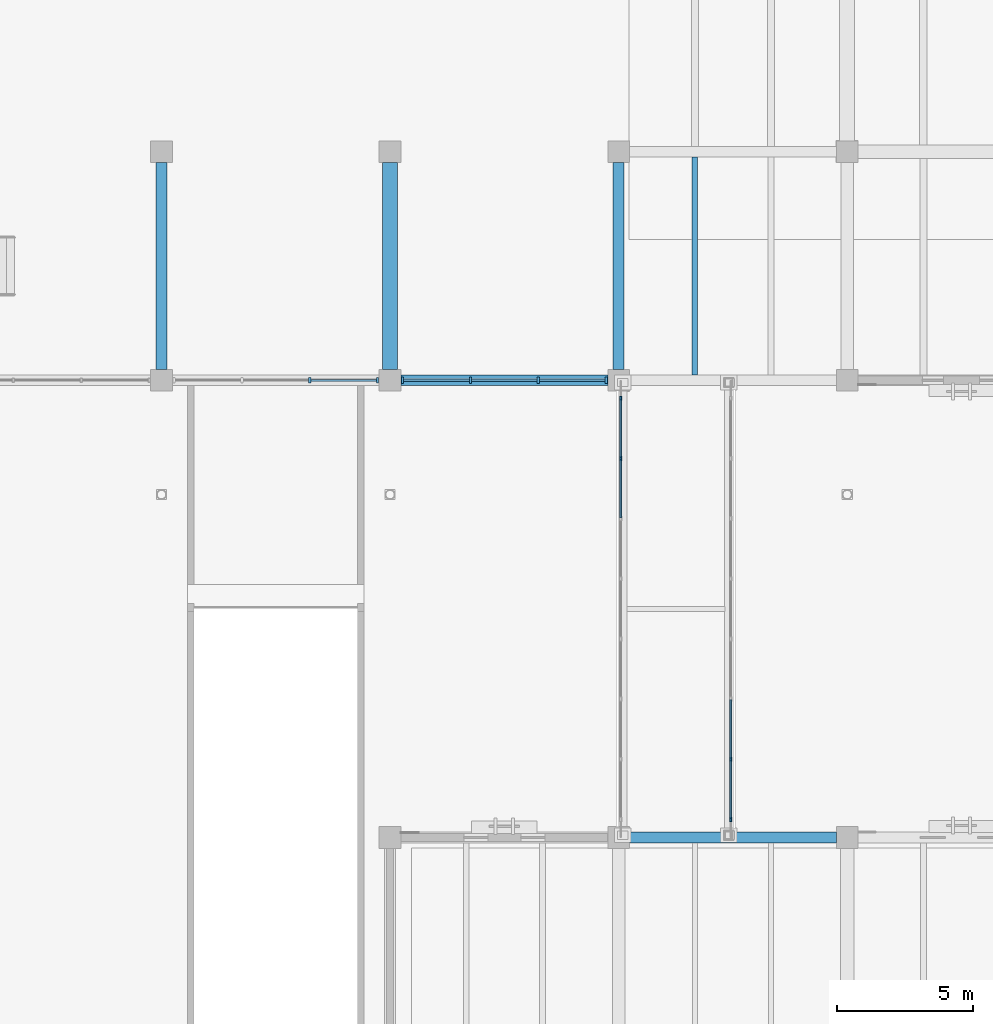
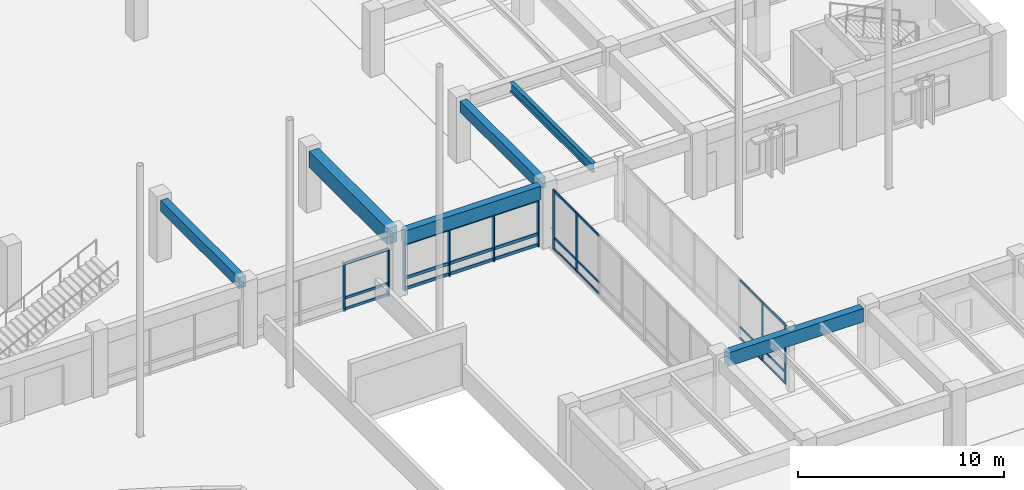
# One storey, part 59 of 135: 34 members, 6 beams, 4 elements without a shape of their own.
"""IFC4 building model written with IfcOpenShell, lengths in metres."""

from ifc_helpers import new_model, si_unit, direction, frame, origin, origin_2d, place, context, subcontext, project, spatial, rectangle, i_section, extrude, material, material_profile, profile_set, type_object, element, aggregate, save


model = new_model("IFC4")

# Units and contexts
model_context = context("Model", 3, precision=1e-05, world=origin(), true_north=direction((0.0, 1.0)))
body_context = subcontext(model_context, "Body", "Model", "MODEL_VIEW")
ifc_project = project(units=[si_unit("LENGTHUNIT", "METRE"), si_unit("AREAUNIT", "SQUARE_METRE"), si_unit("VOLUMEUNIT", "CUBIC_METRE"), si_unit("PLANEANGLEUNIT", "RADIAN"), si_unit("MASSUNIT", "GRAM", prefix="KILO")], contexts=[model_context])

# Site, building, storey
site_placement = place(None, origin())
site = spatial("IfcSite", under=ifc_project, at=site_placement, CompositionType="ELEMENT")
building_placement = place(site_placement, origin())
building = spatial("IfcBuilding", under=site, at=building_placement, Name="Cumbredor Promenade Congress Hotel", CompositionType="ELEMENT")
storey_placement = place(building_placement, origin())
storey = spatial("IfcBuildingStorey", under=building, at=storey_placement, Name="L00", CompositionType="ELEMENT", Elevation=0.0)

# Beams
ifc_material_1 = material(Name="Concrete C40/50", Category="concrete")
ifc_material_profile_1 = material_profile(ifc_material_1, rectangle(XDim=0.39990234375, YDim=0.64990234375, at=origin_2d()), Name="RC BEAM 400x650")
ifc_profile_set_1 = profile_set([ifc_material_profile_1], Name="Concrete C40/50")
beam_type_1 = type_object("IfcBeamType", Name="BM-RC-400x650", PredefinedType="BEAM", material=ifc_profile_set_1)
for number, where, z_axis, x_axis, name in (
    (1, (134.39990234375, 84.39990234375, 3.31494140625), (0.0, 1.0, 0.0), (-1.0, 0.0, 0.0), "L01 Y-Grid Beam 210"),
    (2, (151.199951171875, 84.39990234375, 3.31494140625), (0.0, 1.0, 0.0), (-1.0, 0.0, 0.0), "L01 Y-Grid Beam 234"),
):
    element("IfcBeam", number, at=place(storey_placement, frame(where, z_axis=z_axis, x_axis=x_axis)), inside=storey, type_object=beam_type_1, Name=name, PredefinedType="BEAM", context=body_context, shape_type="SweptSolid", body=[
        extrude(rectangle(XDim=0.39990234375, YDim=0.64990234375, at=origin_2d()), origin(), (0.0, 0.0, 1.0), 7.60009765625),
    ])
ifc_material_profile_2 = material_profile(ifc_material_1, rectangle(XDim=0.550048828125, YDim=0.949951171875, at=origin_2d()), Name="RC BEAM 550x950")
ifc_profile_set_2 = profile_set([ifc_material_profile_2], Name="Concrete C40/50")
beam_type_2 = type_object("IfcBeamType", Name="BM-RC-550x950", PredefinedType="BEAM", material=ifc_profile_set_2)
beam_1_placement = place(storey_placement, frame((142.800048828125, 84.39990234375, 3.1650390625), z_axis=(0.0, 1.0, 0.0), x_axis=(-1.0, 0.0, 0.0)))
element("IfcBeam", 3, at=beam_1_placement, inside=storey, type_object=beam_type_2, Name="L01 Y-Grid Beam 225", PredefinedType="BEAM", context=body_context, shape_type="SweptSolid", body=[
    extrude(rectangle(XDim=0.550048828125, YDim=0.949951171875, at=origin_2d()), origin(), (0.0, 0.0, 1.0), 7.60009765625),
])

# Curtain wall, members
ifc_material_2 = material(Name="Thermally broken anodized aluminium and low-E glass", Category="aluminium")
curtain_wall_type_1 = type_object("IfcCurtainWallType", Name="Unitised Bridge Glazing Screen CW-05", PredefinedType="NOTDEFINED", material=ifc_material_2)
curtain_wall_1_placement = place(storey_placement, origin())
curtain_wall_1 = element("IfcCurtainWall", 4, at=curtain_wall_1_placement, inside=storey, type_object=curtain_wall_type_1, Name="L00 East Ballroom-to-Forum Glazed Bridge West Glazing Screen", PredefinedType="NOTDEFINED")
ifc_material_3 = material(Name="Thermally broken anodized aluminium", Category="aluminium")
ifc_material_profile_3 = material_profile(ifc_material_3, rectangle(XDim=0.06494140625, YDim=0.159912109375, at=origin_2d()), Name="ALU MULLION 65x160")
ifc_profile_set_3 = profile_set([ifc_material_profile_3], Name="Thermally broken anodized aluminium")
member_type_1 = type_object("IfcMemberType", Name="Curtain Wall Mullion ML-01", PredefinedType="MULLION", material=ifc_profile_set_3)
member_1_placement = place(storey_placement, frame((151.280029296875, 81.128662109375, -0.008056640625), z_axis=(0.0, 0.0, 1.0), x_axis=(1.0, 0.0, 0.0)))
member_1 = element("IfcMember", 5, at=member_1_placement, type_object=member_type_1, Name="L00 East Ballroom-to-Forum Glazed Bridge West Glazing Screen Mullion 7", PredefinedType="MULLION", context=body_context, shape_type="SweptSolid", body=[
    extrude(rectangle(XDim=0.06494140625, YDim=0.159912109375, at=origin_2d()), origin(), (0.0, 0.0, 1.0), 3.55615234375),
])
member_2_placement = place(storey_placement, frame((151.280029296875, 83.340087890625, -0.008056640625), z_axis=(0.0, 0.0, 1.0), x_axis=(1.0, 0.0, 0.0)))
member_2 = element("IfcMember", 6, at=member_2_placement, type_object=member_type_1, Name="L00 East Ballroom-to-Forum Glazed Bridge West Glazing Screen Mullion 8", PredefinedType="MULLION", context=body_context, shape_type="SweptSolid", body=[
    extrude(rectangle(XDim=0.06494140625, YDim=0.159912109375, at=origin_2d()), origin(), (0.0, 0.0, 1.0), 3.55615234375),
])

curtain_wall_2_placement = place(storey_placement, origin())
curtain_wall_2 = element("IfcCurtainWall", 7, at=curtain_wall_2_placement, inside=storey, type_object=curtain_wall_type_1, Name="L00 East Ballroom-to-Forum Glazed Bridge East Glazing Screen", PredefinedType="NOTDEFINED")
member_3_placement = place(storey_placement, frame((155.320068359375, 67.860107421875, -0.008056640625), z_axis=(0.0, 0.0, 1.0), x_axis=(1.0, 0.0, 0.0)))
member_3 = element("IfcMember", 8, at=member_3_placement, type_object=member_type_1, Name="L00 East Ballroom-to-Forum Glazed Bridge East Glazing Screen Mullion 1", PredefinedType="MULLION", context=body_context, shape_type="SweptSolid", body=[
    extrude(rectangle(XDim=0.06494140625, YDim=0.159912109375, at=origin_2d()), origin(), (0.0, 0.0, 1.0), 3.55615234375),
])
member_4_placement = place(storey_placement, frame((155.320068359375, 70.0712890625, -0.008056640625), z_axis=(0.0, 0.0, 1.0), x_axis=(1.0, 0.0, 0.0)))
member_4 = element("IfcMember", 9, at=member_4_placement, type_object=member_type_1, Name="L00 East Ballroom-to-Forum Glazed Bridge East Glazing Screen Mullion 2", PredefinedType="MULLION", context=body_context, shape_type="SweptSolid", body=[
    extrude(rectangle(XDim=0.06494140625, YDim=0.159912109375, at=origin_2d()), origin(), (0.0, 0.0, 1.0), 3.55615234375),
])

curtain_wall_type_2 = type_object("IfcCurtainWallType", Name="Unitised Grand Foyer Curtain Wall CW-04", PredefinedType="NOTDEFINED", material=ifc_material_2)
curtain_wall_3_placement = place(storey_placement, origin())
curtain_wall_3 = element("IfcCurtainWall", 10, at=curtain_wall_3_placement, inside=storey, type_object=curtain_wall_type_2, Name="L00 Pre-Function and Breakout Meeting Forum South Curtain Wall 6", PredefinedType="NOTDEFINED")
ifc_material_profile_4 = material_profile(ifc_material_3, rectangle(XDim=0.074951171875, YDim=0.199951171875, at=origin_2d()), Name="ALU MULLION 75x200")
ifc_profile_set_4 = profile_set([ifc_material_profile_4], Name="Thermally broken anodized aluminium")
member_type_2 = type_object("IfcMemberType", Name="Curtain Wall Mullion ML-02", PredefinedType="MULLION", material=ifc_profile_set_4)
member_5_placement = place(storey_placement, frame((139.848388671875, 84.0, -0.008056640625), z_axis=(0.0, 0.0, 1.0), x_axis=(1.0, 0.0, 0.0)))
member_5 = element("IfcMember", 11, at=member_5_placement, type_object=member_type_2, Name="L00 Pre-Function and Breakout Meeting Forum South Curtain Wall 6 Mullion 3", PredefinedType="MULLION", context=body_context, shape_type="SweptSolid", body=[
    extrude(rectangle(XDim=0.074951171875, YDim=0.199951171875, at=origin_2d()), origin(), (0.0, 0.0, 1.0), 2.841064453125),
])
member_6_placement = place(storey_placement, frame((142.344970703125, 84.0, -0.008056640625), z_axis=(0.0, 0.0, 1.0), x_axis=(1.0, 0.0, 0.0)))
member_6 = element("IfcMember", 12, at=member_6_placement, type_object=member_type_2, Name="L00 Pre-Function and Breakout Meeting Forum South Curtain Wall 6 Mullion 4", PredefinedType="MULLION", context=body_context, shape_type="SweptSolid", body=[
    extrude(rectangle(XDim=0.074951171875, YDim=0.199951171875, at=origin_2d()), origin(), (0.0, 0.0, 1.0), 2.841064453125),
])

curtain_wall_4_placement = place(storey_placement, origin())
curtain_wall_4 = element("IfcCurtainWall", 13, at=curtain_wall_4_placement, inside=storey, type_object=curtain_wall_type_2, Name="L00 Pre-Function and Breakout Meeting Forum South Curtain Wall 7", PredefinedType="NOTDEFINED")
ifc_material_profile_5 = material_profile(ifc_material_3, rectangle(XDim=0.080078125, YDim=0.239990234375, at=origin_2d()), Name="ALU MULLION 80x240")
ifc_profile_set_5 = profile_set([ifc_material_profile_5], Name="Thermally broken anodized aluminium")
member_type_3 = type_object("IfcMemberType", Name="Curtain Wall Mullion ML-03", PredefinedType="MULLION", material=ifc_profile_set_5)
member_7_placement = place(storey_placement, frame((143.2548828125, 84.0, -0.008056640625), z_axis=(0.0, 0.0, 1.0), x_axis=(1.0, 0.0, 0.0)))
member_7 = element("IfcMember", 14, at=member_7_placement, type_object=member_type_3, Name="L00 Pre-Function and Breakout Meeting Forum South Curtain Wall 7 Mullion 1", PredefinedType="MULLION", context=body_context, shape_type="SweptSolid", body=[
    extrude(rectangle(XDim=0.080078125, YDim=0.239990234375, at=origin_2d()), origin(), (0.0, 0.0, 1.0), 2.841064453125),
])
member_8_placement = place(storey_placement, frame((145.751708984375, 84.0, -0.008056640625), z_axis=(0.0, 0.0, 1.0), x_axis=(1.0, 0.0, 0.0)))
member_8 = element("IfcMember", 15, at=member_8_placement, type_object=member_type_3, Name="L00 Pre-Function and Breakout Meeting Forum South Curtain Wall 7 Mullion 2", PredefinedType="MULLION", context=body_context, shape_type="SweptSolid", body=[
    extrude(rectangle(XDim=0.080078125, YDim=0.239990234375, at=origin_2d()), origin(), (0.0, 0.0, 1.0), 2.841064453125),
])
member_9_placement = place(storey_placement, frame((148.248291015625, 84.0, -0.008056640625), z_axis=(0.0, 0.0, 1.0), x_axis=(1.0, 0.0, 0.0)))
member_9 = element("IfcMember", 16, at=member_9_placement, type_object=member_type_3, Name="L00 Pre-Function and Breakout Meeting Forum South Curtain Wall 7 Mullion 3", PredefinedType="MULLION", context=body_context, shape_type="SweptSolid", body=[
    extrude(rectangle(XDim=0.080078125, YDim=0.239990234375, at=origin_2d()), origin(), (0.0, 0.0, 1.0), 2.841064453125),
])
member_10_placement = place(storey_placement, frame((150.7451171875, 84.0, -0.008056640625), z_axis=(0.0, 0.0, 1.0), x_axis=(1.0, 0.0, 0.0)))
member_10 = element("IfcMember", 17, at=member_10_placement, type_object=member_type_3, Name="L00 Pre-Function and Breakout Meeting Forum South Curtain Wall 7 Mullion 4", PredefinedType="MULLION", context=body_context, shape_type="SweptSolid", body=[
    extrude(rectangle(XDim=0.080078125, YDim=0.239990234375, at=origin_2d()), origin(), (0.0, 0.0, 1.0), 2.841064453125),
])

# Member
ifc_material_profile_6 = material_profile(ifc_material_3, rectangle(XDim=0.06494140625, YDim=0.1298828125, at=origin_2d()), Name="ALU TRANSOM 65x130")
ifc_profile_set_6 = profile_set([ifc_material_profile_6], Name="Thermally broken anodized aluminium")
member_type_4 = type_object("IfcMemberType", Name="Curtain Wall Transom TR-01", PredefinedType="USERDEFINED", material=ifc_profile_set_6)
member_11_placement = place(storey_placement, frame((151.280029296875, 78.94970703125, 0.070068359375), z_axis=(0.0, 1.0, 0.0), x_axis=(-1.0, 0.0, 0.0)))
member_11 = element("IfcMember", 18, at=member_11_placement, type_object=member_type_4, Name="L00 East Ballroom-to-Forum Glazed Bridge West Glazing Screen Transom 6.1", ObjectType="TRANSOM", PredefinedType="USERDEFINED", context=body_context, shape_type="SweptSolid", body=[
    extrude(rectangle(XDim=0.06494140625, YDim=0.1298828125, at=origin_2d()), origin(), (0.0, 0.0, 1.0), 2.146484375),
])

member_12_placement = place(storey_placement, frame((151.280029296875, 78.94970703125, 0.719970703125), z_axis=(0.0, 1.0, 0.0), x_axis=(-1.0, 0.0, 0.0)))
member_12 = element("IfcMember", 19, at=member_12_placement, type_object=member_type_4, Name="L00 East Ballroom-to-Forum Glazed Bridge West Glazing Screen Transom 6.2", ObjectType="TRANSOM", PredefinedType="USERDEFINED", context=body_context, shape_type="SweptSolid", body=[
    extrude(rectangle(XDim=0.06494140625, YDim=0.1298828125, at=origin_2d()), origin(), (0.0, 0.0, 1.0), 2.146484375),
])

member_13_placement = place(storey_placement, frame((151.280029296875, 78.94970703125, 3.47998046875), z_axis=(0.0, 1.0, 0.0), x_axis=(-1.0, 0.0, 0.0)))
member_13 = element("IfcMember", 20, at=member_13_placement, type_object=member_type_4, Name="L00 East Ballroom-to-Forum Glazed Bridge West Glazing Screen Transom 6.3", ObjectType="TRANSOM", PredefinedType="USERDEFINED", context=body_context, shape_type="SweptSolid", body=[
    extrude(rectangle(XDim=0.06494140625, YDim=0.1298828125, at=origin_2d()), origin(), (0.0, 0.0, 1.0), 2.146484375),
])

member_14_placement = place(storey_placement, frame((151.280029296875, 81.1611328125, 0.070068359375), z_axis=(0.0, 1.0, 0.0), x_axis=(-1.0, 0.0, 0.0)))
member_14 = element("IfcMember", 21, at=member_14_placement, type_object=member_type_4, Name="L00 East Ballroom-to-Forum Glazed Bridge West Glazing Screen Transom 7.1", ObjectType="TRANSOM", PredefinedType="USERDEFINED", context=body_context, shape_type="SweptSolid", body=[
    extrude(rectangle(XDim=0.06494140625, YDim=0.1298828125, at=origin_2d()), origin(), (0.0, 0.0, 1.0), 2.146484375),
])

member_15_placement = place(storey_placement, frame((151.280029296875, 81.1611328125, 0.719970703125), z_axis=(0.0, 1.0, 0.0), x_axis=(-1.0, 0.0, 0.0)))
member_15 = element("IfcMember", 22, at=member_15_placement, type_object=member_type_4, Name="L00 East Ballroom-to-Forum Glazed Bridge West Glazing Screen Transom 7.2", ObjectType="TRANSOM", PredefinedType="USERDEFINED", context=body_context, shape_type="SweptSolid", body=[
    extrude(rectangle(XDim=0.06494140625, YDim=0.1298828125, at=origin_2d()), origin(), (0.0, 0.0, 1.0), 2.146484375),
])

member_16_placement = place(storey_placement, frame((151.280029296875, 81.1611328125, 3.47998046875), z_axis=(0.0, 1.0, 0.0), x_axis=(-1.0, 0.0, 0.0)))
member_16 = element("IfcMember", 23, at=member_16_placement, type_object=member_type_4, Name="L00 East Ballroom-to-Forum Glazed Bridge West Glazing Screen Transom 7.3", ObjectType="TRANSOM", PredefinedType="USERDEFINED", context=body_context, shape_type="SweptSolid", body=[
    extrude(rectangle(XDim=0.06494140625, YDim=0.1298828125, at=origin_2d()), origin(), (0.0, 0.0, 1.0), 2.146484375),
])

aggregate(curtain_wall_1, [member_1, member_2, member_11, member_12, member_13, member_14, member_15, member_16])

member_17_placement = place(storey_placement, frame((155.320068359375, 67.892578125, 0.070068359375), z_axis=(0.0, 1.0, 0.0), x_axis=(-1.0, 0.0, 0.0)))
member_17 = element("IfcMember", 24, at=member_17_placement, type_object=member_type_4, Name="L00 East Ballroom-to-Forum Glazed Bridge East Glazing Screen Transom 1.1", ObjectType="TRANSOM", PredefinedType="USERDEFINED", context=body_context, shape_type="SweptSolid", body=[
    extrude(rectangle(XDim=0.06494140625, YDim=0.1298828125, at=origin_2d()), origin(), (0.0, 0.0, 1.0), 2.146240234375),
])

member_18_placement = place(storey_placement, frame((155.320068359375, 67.892578125, 0.719970703125), z_axis=(0.0, 1.0, 0.0), x_axis=(-1.0, 0.0, 0.0)))
member_18 = element("IfcMember", 25, at=member_18_placement, type_object=member_type_4, Name="L00 East Ballroom-to-Forum Glazed Bridge East Glazing Screen Transom 1.2", ObjectType="TRANSOM", PredefinedType="USERDEFINED", context=body_context, shape_type="SweptSolid", body=[
    extrude(rectangle(XDim=0.06494140625, YDim=0.1298828125, at=origin_2d()), origin(), (0.0, 0.0, 1.0), 2.146240234375),
])

member_19_placement = place(storey_placement, frame((155.320068359375, 67.892578125, 3.47998046875), z_axis=(0.0, 1.0, 0.0), x_axis=(-1.0, 0.0, 0.0)))
member_19 = element("IfcMember", 26, at=member_19_placement, type_object=member_type_4, Name="L00 East Ballroom-to-Forum Glazed Bridge East Glazing Screen Transom 1.3", ObjectType="TRANSOM", PredefinedType="USERDEFINED", context=body_context, shape_type="SweptSolid", body=[
    extrude(rectangle(XDim=0.06494140625, YDim=0.1298828125, at=origin_2d()), origin(), (0.0, 0.0, 1.0), 2.146240234375),
])

member_20_placement = place(storey_placement, frame((155.320068359375, 70.10400390625, 0.070068359375), z_axis=(0.0, 1.0, 0.0), x_axis=(-1.0, 0.0, 0.0)))
member_20 = element("IfcMember", 27, at=member_20_placement, type_object=member_type_4, Name="L00 East Ballroom-to-Forum Glazed Bridge East Glazing Screen Transom 2.1", ObjectType="TRANSOM", PredefinedType="USERDEFINED", context=body_context, shape_type="SweptSolid", body=[
    extrude(rectangle(XDim=0.06494140625, YDim=0.1298828125, at=origin_2d()), origin(), (0.0, 0.0, 1.0), 2.146484375),
])

member_21_placement = place(storey_placement, frame((155.320068359375, 70.10400390625, 0.719970703125), z_axis=(0.0, 1.0, 0.0), x_axis=(-1.0, 0.0, 0.0)))
member_21 = element("IfcMember", 28, at=member_21_placement, type_object=member_type_4, Name="L00 East Ballroom-to-Forum Glazed Bridge East Glazing Screen Transom 2.2", ObjectType="TRANSOM", PredefinedType="USERDEFINED", context=body_context, shape_type="SweptSolid", body=[
    extrude(rectangle(XDim=0.06494140625, YDim=0.1298828125, at=origin_2d()), origin(), (0.0, 0.0, 1.0), 2.146484375),
])

member_22_placement = place(storey_placement, frame((155.320068359375, 70.10400390625, 3.47998046875), z_axis=(0.0, 1.0, 0.0), x_axis=(-1.0, 0.0, 0.0)))
member_22 = element("IfcMember", 29, at=member_22_placement, type_object=member_type_4, Name="L00 East Ballroom-to-Forum Glazed Bridge East Glazing Screen Transom 2.3", ObjectType="TRANSOM", PredefinedType="USERDEFINED", context=body_context, shape_type="SweptSolid", body=[
    extrude(rectangle(XDim=0.06494140625, YDim=0.1298828125, at=origin_2d()), origin(), (0.0, 0.0, 1.0), 2.146484375),
])

aggregate(curtain_wall_2, [member_3, member_4, member_17, member_18, member_19, member_20, member_21, member_22])

ifc_material_profile_7 = material_profile(ifc_material_3, rectangle(XDim=0.074951171875, YDim=0.14990234375, at=origin_2d()), Name="ALU TRANSOM 75x150")
ifc_profile_set_7 = profile_set([ifc_material_profile_7], Name="Thermally broken anodized aluminium")
member_type_5 = type_object("IfcMemberType", Name="Curtain Wall Transom TR-02", PredefinedType="USERDEFINED", material=ifc_profile_set_7)
member_23_placement = place(storey_placement, frame((139.8857421875, 84.0, 0.070068359375), z_axis=(1.0, 0.0, 0.0), x_axis=(0.0, 1.0, 0.0)))
member_23 = element("IfcMember", 30, at=member_23_placement, type_object=member_type_5, Name="L00 Pre-Function and Breakout Meeting Forum South Curtain Wall 6 Transom 3.1", ObjectType="TRANSOM", PredefinedType="USERDEFINED", context=body_context, shape_type="SweptSolid", body=[
    extrude(rectangle(XDim=0.074951171875, YDim=0.14990234375, at=origin_2d()), origin(), (0.0, 0.0, 1.0), 2.421875),
])

member_24_placement = place(storey_placement, frame((139.8857421875, 84.0, 0.719970703125), z_axis=(1.0, 0.0, 0.0), x_axis=(0.0, 1.0, 0.0)))
member_24 = element("IfcMember", 31, at=member_24_placement, type_object=member_type_5, Name="L00 Pre-Function and Breakout Meeting Forum South Curtain Wall 6 Transom 3.2", ObjectType="TRANSOM", PredefinedType="USERDEFINED", context=body_context, shape_type="SweptSolid", body=[
    extrude(rectangle(XDim=0.074951171875, YDim=0.14990234375, at=origin_2d()), origin(), (0.0, 0.0, 1.0), 2.421875),
])

member_25_placement = place(storey_placement, frame((139.8857421875, 84.0, 2.75), z_axis=(1.0, 0.0, 0.0), x_axis=(0.0, 1.0, 0.0)))
member_25 = element("IfcMember", 32, at=member_25_placement, type_object=member_type_5, Name="L00 Pre-Function and Breakout Meeting Forum South Curtain Wall 6 Transom 3.3", ObjectType="TRANSOM", PredefinedType="USERDEFINED", context=body_context, shape_type="SweptSolid", body=[
    extrude(rectangle(XDim=0.074951171875, YDim=0.14990234375, at=origin_2d()), origin(), (0.0, 0.0, 1.0), 2.421875),
])

aggregate(curtain_wall_3, [member_5, member_6, member_23, member_24, member_25])

ifc_material_profile_8 = material_profile(ifc_material_3, rectangle(XDim=0.080078125, YDim=0.179931640625, at=origin_2d()), Name="ALU TRANSOM 80x180")
ifc_profile_set_8 = profile_set([ifc_material_profile_8], Name="Thermally broken anodized aluminium")
member_type_6 = type_object("IfcMemberType", Name="Curtain Wall Transom TR-03", PredefinedType="USERDEFINED", material=ifc_profile_set_8)
member_26_placement = place(storey_placement, frame((143.294921875, 84.0, 0.090087890625), z_axis=(1.0, 0.0, 0.0), x_axis=(0.0, 1.0, 0.0)))
member_26 = element("IfcMember", 33, at=member_26_placement, type_object=member_type_6, Name="L00 Pre-Function and Breakout Meeting Forum South Curtain Wall 7 Transom 1.1", ObjectType="TRANSOM", PredefinedType="USERDEFINED", context=body_context, shape_type="SweptSolid", body=[
    extrude(rectangle(XDim=0.080078125, YDim=0.179931640625, at=origin_2d()), origin(), (0.0, 0.0, 1.0), 2.416748046875),
])

member_27_placement = place(storey_placement, frame((143.294921875, 84.0, 0.719970703125), z_axis=(1.0, 0.0, 0.0), x_axis=(0.0, 1.0, 0.0)))
member_27 = element("IfcMember", 34, at=member_27_placement, type_object=member_type_6, Name="L00 Pre-Function and Breakout Meeting Forum South Curtain Wall 7 Transom 1.2", ObjectType="TRANSOM", PredefinedType="USERDEFINED", context=body_context, shape_type="SweptSolid", body=[
    extrude(rectangle(XDim=0.080078125, YDim=0.179931640625, at=origin_2d()), origin(), (0.0, 0.0, 1.0), 2.416748046875),
])

member_28_placement = place(storey_placement, frame((143.294921875, 84.0, 2.739990234375), z_axis=(1.0, 0.0, 0.0), x_axis=(0.0, 1.0, 0.0)))
member_28 = element("IfcMember", 35, at=member_28_placement, type_object=member_type_6, Name="L00 Pre-Function and Breakout Meeting Forum South Curtain Wall 7 Transom 1.3", ObjectType="TRANSOM", PredefinedType="USERDEFINED", context=body_context, shape_type="SweptSolid", body=[
    extrude(rectangle(XDim=0.080078125, YDim=0.179931640625, at=origin_2d()), origin(), (0.0, 0.0, 1.0), 2.416748046875),
])

member_29_placement = place(storey_placement, frame((145.791748046875, 84.0, 0.090087890625), z_axis=(1.0, 0.0, 0.0), x_axis=(0.0, 1.0, 0.0)))
member_29 = element("IfcMember", 36, at=member_29_placement, type_object=member_type_6, Name="L00 Pre-Function and Breakout Meeting Forum South Curtain Wall 7 Transom 2.1", ObjectType="TRANSOM", PredefinedType="USERDEFINED", context=body_context, shape_type="SweptSolid", body=[
    extrude(rectangle(XDim=0.080078125, YDim=0.179931640625, at=origin_2d()), origin(), (0.0, 0.0, 1.0), 2.41650390625),
])

member_30_placement = place(storey_placement, frame((145.791748046875, 84.0, 0.719970703125), z_axis=(1.0, 0.0, 0.0), x_axis=(0.0, 1.0, 0.0)))
member_30 = element("IfcMember", 37, at=member_30_placement, type_object=member_type_6, Name="L00 Pre-Function and Breakout Meeting Forum South Curtain Wall 7 Transom 2.2", ObjectType="TRANSOM", PredefinedType="USERDEFINED", context=body_context, shape_type="SweptSolid", body=[
    extrude(rectangle(XDim=0.080078125, YDim=0.179931640625, at=origin_2d()), origin(), (0.0, 0.0, 1.0), 2.41650390625),
])

member_31_placement = place(storey_placement, frame((145.791748046875, 84.0, 2.739990234375), z_axis=(1.0, 0.0, 0.0), x_axis=(0.0, 1.0, 0.0)))
member_31 = element("IfcMember", 38, at=member_31_placement, type_object=member_type_6, Name="L00 Pre-Function and Breakout Meeting Forum South Curtain Wall 7 Transom 2.3", ObjectType="TRANSOM", PredefinedType="USERDEFINED", context=body_context, shape_type="SweptSolid", body=[
    extrude(rectangle(XDim=0.080078125, YDim=0.179931640625, at=origin_2d()), origin(), (0.0, 0.0, 1.0), 2.41650390625),
])

member_32_placement = place(storey_placement, frame((148.288330078125, 84.0, 0.090087890625), z_axis=(1.0, 0.0, 0.0), x_axis=(0.0, 1.0, 0.0)))
member_32 = element("IfcMember", 39, at=member_32_placement, type_object=member_type_6, Name="L00 Pre-Function and Breakout Meeting Forum South Curtain Wall 7 Transom 3.1", ObjectType="TRANSOM", PredefinedType="USERDEFINED", context=body_context, shape_type="SweptSolid", body=[
    extrude(rectangle(XDim=0.080078125, YDim=0.179931640625, at=origin_2d()), origin(), (0.0, 0.0, 1.0), 2.416748046875),
])

member_33_placement = place(storey_placement, frame((148.288330078125, 84.0, 0.719970703125), z_axis=(1.0, 0.0, 0.0), x_axis=(0.0, 1.0, 0.0)))
member_33 = element("IfcMember", 40, at=member_33_placement, type_object=member_type_6, Name="L00 Pre-Function and Breakout Meeting Forum South Curtain Wall 7 Transom 3.2", ObjectType="TRANSOM", PredefinedType="USERDEFINED", context=body_context, shape_type="SweptSolid", body=[
    extrude(rectangle(XDim=0.080078125, YDim=0.179931640625, at=origin_2d()), origin(), (0.0, 0.0, 1.0), 2.416748046875),
])

member_34_placement = place(storey_placement, frame((148.288330078125, 84.0, 2.739990234375), z_axis=(1.0, 0.0, 0.0), x_axis=(0.0, 1.0, 0.0)))
member_34 = element("IfcMember", 41, at=member_34_placement, type_object=member_type_6, Name="L00 Pre-Function and Breakout Meeting Forum South Curtain Wall 7 Transom 3.3", ObjectType="TRANSOM", PredefinedType="USERDEFINED", context=body_context, shape_type="SweptSolid", body=[
    extrude(rectangle(XDim=0.080078125, YDim=0.179931640625, at=origin_2d()), origin(), (0.0, 0.0, 1.0), 2.416748046875),
])

aggregate(curtain_wall_4, [member_7, member_8, member_9, member_10, member_26, member_27, member_28, member_29, member_30, member_31, member_32, member_33, member_34])

# Beams
ifc_material_4 = material(Name="Steel ASTM A992 Grade 50", Category="steel")
ifc_material_profile_9 = material_profile(ifc_material_4, i_section(OverallWidth=0.214111328125, OverallDepth=0.549072265625, WebThickness=0.0146484375, FlangeThickness=0.023681640625, at=origin_2d()), Name="W21X93")
ifc_profile_set_9 = profile_set([ifc_material_profile_9], Name="Steel ASTM A992 Grade 50")
beam_type_3 = type_object("IfcBeamType", Name="JST-W21X93", PredefinedType="JOIST", material=ifc_profile_set_9)
beam_2_placement = place(storey_placement, frame((154.0, 84.199951171875, 3.365478515625), z_axis=(0.0, 1.0, 0.0), x_axis=(-1.0, 0.0, 0.0)))
element("IfcBeam", 42, at=beam_2_placement, inside=storey, type_object=beam_type_3, Name="L01 Secondary Floor Joist 0127", PredefinedType="JOIST", context=body_context, shape_type="SweptSolid", body=[
    extrude(i_section(OverallWidth=0.214111328125, OverallDepth=0.549072265625, WebThickness=0.0146484375, FlangeThickness=0.023681640625, at=origin_2d()), origin(), (0.0, 0.0, 1.0), 8.0),
])
ifc_material_profile_10 = material_profile(ifc_material_1, rectangle(XDim=0.39990234375, YDim=0.800048828125, at=origin_2d()), Name="RC SPANDREL 400x800")
ifc_profile_set_10 = profile_set([ifc_material_profile_10], Name="Concrete C40/50")
beam_type_4 = type_object("IfcBeamType", Name="SP-RC-400x800", PredefinedType="SPANDREL", material=ifc_profile_set_10)
beam_3_placement = place(storey_placement, frame((143.199951171875, 84.0, 3.239990234375), z_axis=(1.0, 0.0, 0.0), x_axis=(0.0, 1.0, 0.0)))
element("IfcBeam", 43, at=beam_3_placement, inside=storey, type_object=beam_type_4, Name="L01 X-Grid Beam 224", PredefinedType="SPANDREL", context=body_context, shape_type="SweptSolid", body=[
    extrude(rectangle(XDim=0.39990234375, YDim=0.800048828125, at=origin_2d()), origin(), (0.0, 0.0, 1.0), 7.60009765625),
])
beam_4_placement = place(storey_placement, frame((151.60009765625, 67.199951171875, 3.239990234375), z_axis=(1.0, 0.0, 0.0), x_axis=(0.0, 1.0, 0.0)))
element("IfcBeam", 44, at=beam_4_placement, inside=storey, type_object=beam_type_4, Name="L01 X-Grid Beam 232", PredefinedType="SPANDREL", context=body_context, shape_type="SweptSolid", body=[
    extrude(rectangle(XDim=0.39990234375, YDim=0.800048828125, at=origin_2d()), origin(), (0.0, 0.0, 1.0), 7.599853515625),
])

save(model, "model.ifc")
